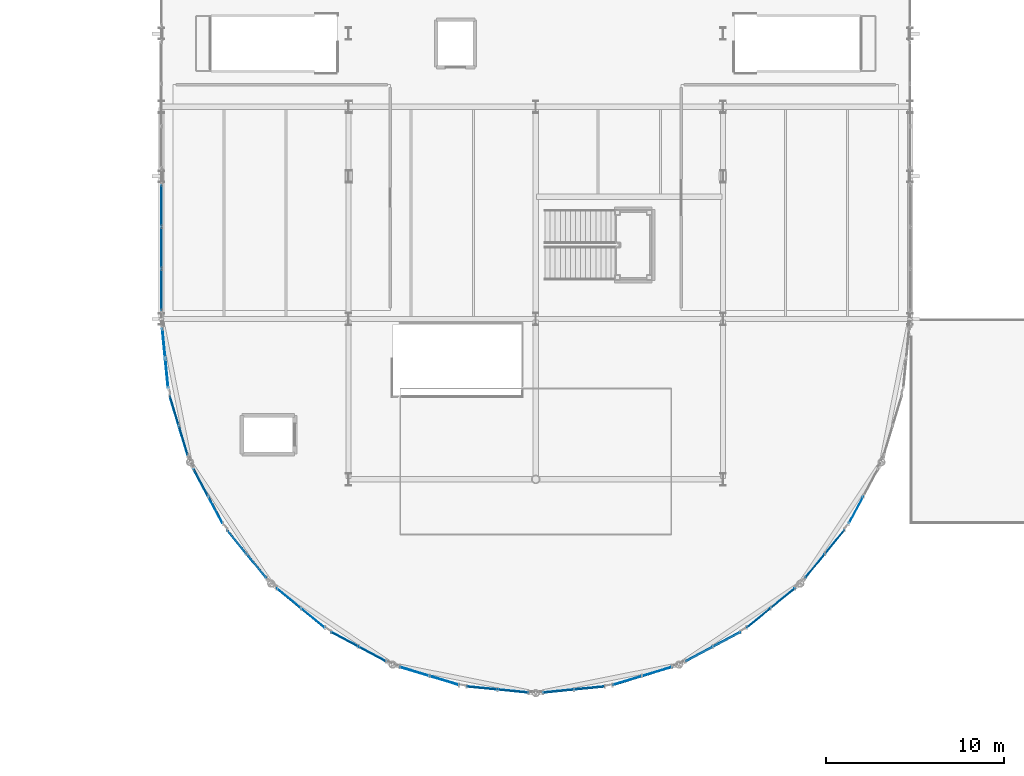
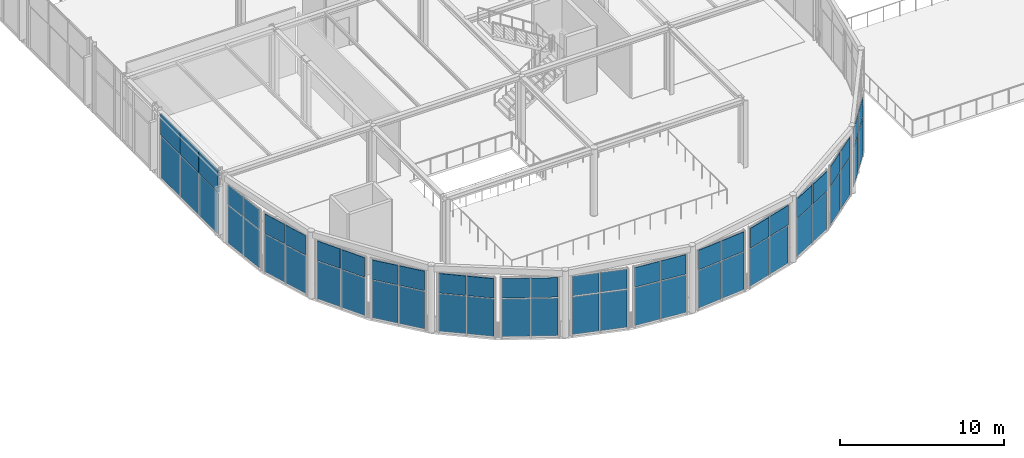
# One storey, part 96 of 195: 59 plates, 15 elements without a shape of their own.
"""IFC4 building model written with IfcOpenShell, lengths in metres."""

import ifcopenshell
import ifcopenshell.guid

model = None  # the IFC model being written
_history = None  # IfcOwnerHistory: only IFC2X3 demands one
_inside = {}  # id of a spatial element -> (the spatial element, [elements in it])
_under = {}  # id of a project, library or spatial element -> (it, [spatial elements below it])
_declared = {}  # id of a project -> (the project, [libraries it declares])
_typed = {}  # id of a type object -> (the type object, [elements of that type])
_made_of = {}  # id of a material, layer set ... -> (it, [elements and type objects made of it])


def new_model(schema):
    """Start an empty IFC model of exactly this schema.

    Asked for "IFC4X3", IfcOpenShell would pick the latest addendum, in which some entities
    have other attributes; the version numbers below select the first issue.
    IFC2X3 requires an IfcOwnerHistory on every rooted entity: one is made here for all.
    """
    global model, _history
    if schema == "IFC4X3":
        model = ifcopenshell.file(schema_version=(4, 3, 0, 0))
    else:
        model = ifcopenshell.file(schema=schema)
    _inside.clear()
    _under.clear()
    _declared.clear()
    _typed.clear()
    _made_of.clear()
    _history = None
    if model.schema == "IFC2X3":
        org = make("IfcOrganization", Name="unknown")
        user = make(
            "IfcPersonAndOrganization",
            ThePerson=make("IfcPerson", FamilyName="unknown"),
            TheOrganization=org,
        )
        app = make(
            "IfcApplication",
            ApplicationDeveloper=org,
            Version="unknown",
            ApplicationFullName="unknown",
            ApplicationIdentifier="unknown",
        )
        _history = make(
            "IfcOwnerHistory",
            OwningUser=user,
            OwningApplication=app,
            ChangeAction="ADDED",
            CreationDate=0,
        )
    return model


def make(cls, **values):
    """One entity of the class cls with the attributes given. An attribute that is None is left unset."""
    return model.create_entity(
        cls, **{name: value for name, value in values.items() if value is not None}
    )


def rooted(cls, **values):
    """An entity with a GlobalId (a new one), such as an element, a storey or a relation."""
    return make(cls, GlobalId=ifcopenshell.guid.new(), OwnerHistory=_history, **values)


def si_unit(unit_type, name, prefix=None):
    """IfcSIUnit, for example si_unit("LENGTHUNIT", "METRE", prefix="MILLI")."""
    return make("IfcSIUnit", UnitType=unit_type, Prefix=prefix, Name=name)


def assignment(units):
    """IfcUnitAssignment: the units of a project."""
    return None if units is None else make("IfcUnitAssignment", Units=units)


def point(xyz):
    """IfcCartesianPoint."""
    return None if xyz is None else make("IfcCartesianPoint", Coordinates=xyz)


def direction(xyz):
    """IfcDirection."""
    return None if xyz is None else make("IfcDirection", DirectionRatios=xyz)


def frame(location, z_axis=None, x_axis=None):
    """IfcAxis2Placement3D, a coordinate frame: its origin and axes. An axis left out is left unset."""
    return make(
        "IfcAxis2Placement3D",
        Location=point(location),
        Axis=direction(z_axis),
        RefDirection=direction(x_axis),
    )


def frame_2d(location, x_axis=None):
    """IfcAxis2Placement2D, a coordinate frame in the plane: its origin and x axis."""
    return make(
        "IfcAxis2Placement2D", Location=point(location), RefDirection=direction(x_axis)
    )


def origin():
    """The frame at (0, 0, 0) with its axes left unset."""
    return frame((0.0, 0.0, 0.0))


def origin_2d():
    """The frame at (0, 0) in the plane with its x axis left unset."""
    return frame_2d((0.0, 0.0))


def place(relative_to, where):
    """IfcLocalPlacement: puts the frame where relative to a parent placement (None: the world)."""
    return make(
        "IfcLocalPlacement", PlacementRelTo=relative_to, RelativePlacement=where
    )


def context(
    kind, dimensions, precision=None, world=None, true_north=None, identifier=None
):
    """IfcGeometricRepresentationContext, for example the 3D "Model" context."""
    return make(
        "IfcGeometricRepresentationContext",
        ContextIdentifier=identifier,
        ContextType=kind,
        CoordinateSpaceDimension=dimensions,
        Precision=precision,
        WorldCoordinateSystem=world,
        TrueNorth=true_north,
    )


def subcontext(parent, identifier, kind, view, scale=None):
    """IfcGeometricRepresentationSubContext, for example "Body" below "Model"."""
    return make(
        "IfcGeometricRepresentationSubContext",
        ContextIdentifier=identifier,
        ContextType=kind,
        ParentContext=parent,
        TargetScale=scale,
        TargetView=view,
    )


def project(units=None, contexts=None):
    """IfcProject with its units and contexts."""
    return rooted(
        "IfcProject",
        Name="project",
        RepresentationContexts=contexts,
        UnitsInContext=assignment(units),
    )


def spatial(cls, under=None, at=None, **own):
    """A site, building, storey or space (cls), placed at a placement, below another one or the project."""
    s = rooted(cls, ObjectPlacement=at, **own)
    if under is not None:
        _under.setdefault(under.id(), (under, []))[1].append(s)
    return s


def profile(cls, at=None, kind="AREA", **sizes):
    """A parametric profile (cls). Its sizes go by their IFC names, for example OverallWidth=200.0."""
    return make(cls, ProfileType=kind, Position=at, **sizes)


def rectangle(**sizes):
    """IfcRectangleProfileDef."""
    return profile("IfcRectangleProfileDef", **sizes)


def extrude(swept, where, along, depth):
    """IfcExtrudedAreaSolid: the profile swept, set in the frame where, extruded along a direction by depth."""
    return make(
        "IfcExtrudedAreaSolid",
        SweptArea=swept,
        Position=where,
        ExtrudedDirection=direction(along),
        Depth=depth,
    )


def shape(context_of_items, identifier, shape_type, items):
    """IfcShapeRepresentation: the items that make up one representation, for example the "Body"."""
    return make(
        "IfcShapeRepresentation",
        ContextOfItems=context_of_items,
        RepresentationIdentifier=identifier,
        RepresentationType=shape_type,
        Items=items,
    )


def material(Name=None, Category=None):
    """IfcMaterial."""
    return make("IfcMaterial", Name=Name, Category=Category)


def layer(
    of_material, thickness, ventilated=None, Name=None, Category=None, Priority=None
):
    """IfcMaterialLayer: one layer of a wall or slab, of a material (None: an air gap)."""
    return make(
        "IfcMaterialLayer",
        Material=of_material,
        LayerThickness=thickness,
        IsVentilated=ventilated,
        Name=Name,
        Category=Category,
        Priority=Priority,
    )


def layer_set(layers, Name=None):
    """IfcMaterialLayerSet."""
    return make("IfcMaterialLayerSet", MaterialLayers=layers, LayerSetName=Name)


def made_of(thing, what):
    """Note that an element or type object is made of a material, layer set ...; save() writes the relation."""
    if what is not None:
        _made_of.setdefault(what.id(), (what, []))[1].append(thing)
    return thing


def type_object(cls, material=None, **own):
    """A type object (cls), such as IfcWallType, which elements share."""
    return made_of(rooted(cls, **own), material)


def element(
    cls,
    number,
    at=None,
    inside=None,
    cuts=None,
    type_object=None,
    material=None,
    context=None,
    identifier="Body",
    shape_type=None,
    held_by="IfcProductDefinitionShape",
    body=None,
    shapes=None,
    **own,
):
    """One element of the class cls, such as IfcWall. Its Tag is "e" and its number.

    at: its placement. inside: the storey or other place that contains it. cuts: it is an
    opening in that element (IfcRelVoidsElement). A single representation is given by context,
    identifier, shape_type and body (its items); several are given by shapes. held_by: the class
    of the entity that holds the representations. save() writes the other relations.
    """
    e = rooted(cls, Tag="e%d" % number, ObjectPlacement=at, **own)
    if body is not None:
        shapes = [shape(context, identifier, shape_type, body)]
    if shapes is not None:
        e.Representation = make(held_by, Representations=shapes)
    if inside is not None:
        _inside.setdefault(inside.id(), (inside, []))[1].append(e)
    if cuts is not None:
        rooted(
            "IfcRelVoidsElement", RelatingBuildingElement=cuts, RelatedOpeningElement=e
        )
    if type_object is not None:
        _typed.setdefault(type_object.id(), (type_object, []))[1].append(e)
    return made_of(e, material)


def aggregate(whole, parts):
    """IfcRelAggregates: a whole, such as a stair, and the parts it consists of."""
    return rooted("IfcRelAggregates", RelatingObject=whole, RelatedObjects=parts)


def save(model, path):
    """Write the relations noted so far, then the file.

    IfcRelAggregates (storeys below a building ...), IfcRelContainedInSpatialStructure (elements
    in a storey), IfcRelDefinesByType, IfcRelAssociatesMaterial and IfcRelDeclares: one each for
    every whole, place, type object, material and project.
    """
    for whole, parts in _under.values():
        aggregate(whole, parts)
    for where, things in _inside.values():
        rooted(
            "IfcRelContainedInSpatialStructure",
            RelatedElements=things,
            RelatingStructure=where,
        )
    for kind, things in _typed.values():
        rooted("IfcRelDefinesByType", RelatedObjects=things, RelatingType=kind)
    for what, things in _made_of.values():
        rooted("IfcRelAssociatesMaterial", RelatedObjects=things, RelatingMaterial=what)
    for by, libraries in _declared.values():
        rooted("IfcRelDeclares", RelatingContext=by, RelatedDefinitions=libraries)
    model.write(path)


model = new_model("IFC4")

# Units and contexts
model_context = context("Model", 3, precision=1e-05, world=origin(), true_north=direction((0.0, 1.0)))
body_context = subcontext(model_context, "Body", "Model", "MODEL_VIEW")
ifc_project = project(units=[si_unit("LENGTHUNIT", "METRE"), si_unit("AREAUNIT", "SQUARE_METRE"), si_unit("VOLUMEUNIT", "CUBIC_METRE"), si_unit("PLANEANGLEUNIT", "RADIAN"), si_unit("MASSUNIT", "GRAM", prefix="KILO")], contexts=[model_context])

# Site, building, storey
site_placement = place(None, origin())
site = spatial("IfcSite", under=ifc_project, at=site_placement, CompositionType="ELEMENT")
building_placement = place(site_placement, origin())
building = spatial("IfcBuilding", under=site, at=building_placement, Name="Marlcrest Central Station", CompositionType="ELEMENT")
storey_placement = place(building_placement, frame((0.0, 0.0, 9.800048828125)))
storey = spatial("IfcBuildingStorey", under=building, at=storey_placement, Name="L02", CompositionType="ELEMENT", Elevation=9.800048828125)

# Curtain wall, plates
ifc_material_1 = material(Name="Anodised aluminium and hurricane laminated glass", Category="aluminium")
ifc_layer_1 = layer(ifc_material_1, 0.219970703125, Name="CW-U1")
ifc_layer_set_1 = layer_set([ifc_layer_1], Name="Anodised aluminium and hurricane laminated glass")
curtain_wall_type = type_object("IfcCurtainWallType", Name="CW-U1", PredefinedType="USERDEFINED", material=ifc_layer_set_1)
curtain_wall_1_placement = place(storey_placement, origin())
curtain_wall_1 = element("IfcCurtainWall", 1, at=curtain_wall_1_placement, inside=storey, type_object=curtain_wall_type, Name="cw-L02-0025", ObjectType="UNITISED_CURTAIN_WALL", PredefinedType="USERDEFINED")
ifc_material_2 = material(Name="Hurricane laminated solar-control glass", Category="glass")
ifc_layer_2 = layer(ifc_material_2, 0.031982421875, Name="CP-01")
ifc_layer_set_2 = layer_set([ifc_layer_2], Name="Hurricane laminated solar-control glass")
plate_type_1 = type_object("IfcPlateType", Name="CP-01", PredefinedType="CURTAIN_PANEL", material=ifc_layer_set_2)
plate_1_placement = place(storey_placement, frame((87.30078125, 19.4501953125, 0.080078125), z_axis=(0.0, 0.0, 1.0), x_axis=(-0.098138724349, 0.995172744192, 0.0)))
plate_1 = element("IfcPlate", 2, at=plate_1_placement, type_object=plate_type_1, Name="cw-L02-0025-cp-lo-0", PredefinedType="CURTAIN_PANEL", context=body_context, shape_type="SweptSolid", body=[
    extrude(rectangle(XDim=1.61669921875, YDim=0.031982421875, at=origin_2d()), origin(), (0.0, 0.0, 1.0), 2.804931640625),
])
plate_2_placement = place(storey_placement, frame((87.134765625, 21.134521484375, 0.080078125), z_axis=(0.0, 0.0, 1.0), x_axis=(-0.098138724349, 0.995172744192, 0.0)))
plate_2 = element("IfcPlate", 3, at=plate_2_placement, type_object=plate_type_1, Name="cw-L02-0025-cp-lo-1", PredefinedType="CURTAIN_PANEL", context=body_context, shape_type="SweptSolid", body=[
    extrude(rectangle(XDim=1.61669921875, YDim=0.031982421875, at=origin_2d()), origin(), (0.0, 0.0, 1.0), 2.804931640625),
])

curtain_wall_2_placement = place(storey_placement, origin())
curtain_wall_2 = element("IfcCurtainWall", 4, at=curtain_wall_2_placement, inside=storey, type_object=curtain_wall_type, Name="cw-L02-0026", ObjectType="UNITISED_CURTAIN_WALL", PredefinedType="USERDEFINED")
plate_3_placement = place(storey_placement, frame((88.227294921875, 15.689453125, 0.080078125), z_axis=(0.0, 0.0, 1.0), x_axis=(-0.290318080597, 0.956930202302, 0.0)))
plate_3 = element("IfcPlate", 5, at=plate_3_placement, type_object=plate_type_1, Name="cw-L02-0026-cp-lo-0", PredefinedType="CURTAIN_PANEL", context=body_context, shape_type="SweptSolid", body=[
    extrude(rectangle(XDim=1.67724609375, YDim=0.031982421875, at=origin_2d()), origin(), (0.0, 0.0, 1.0), 2.804931640625),
])
plate_4_placement = place(storey_placement, frame((87.71826171875, 17.3671875, 0.080078125), z_axis=(0.0, 0.0, 1.0), x_axis=(-0.290318080597, 0.956930202302, 0.0)))
plate_4 = element("IfcPlate", 6, at=plate_4_placement, type_object=plate_type_1, Name="cw-L02-0026-cp-lo-1", PredefinedType="CURTAIN_PANEL", context=body_context, shape_type="SweptSolid", body=[
    extrude(rectangle(XDim=1.67724609375, YDim=0.031982421875, at=origin_2d()), origin(), (0.0, 0.0, 1.0), 2.804931640625),
])

curtain_wall_3_placement = place(storey_placement, origin())
curtain_wall_3 = element("IfcCurtainWall", 7, at=curtain_wall_3_placement, inside=storey, type_object=curtain_wall_type, Name="cw-L02-0027", ObjectType="UNITISED_CURTAIN_WALL", PredefinedType="USERDEFINED")
plate_5_placement = place(storey_placement, frame((90.02880859375, 11.787841796875, 0.080078125), z_axis=(0.0, 0.0, 1.0), x_axis=(-0.471242805349, 0.882003525167, 0.0)))
plate_5 = element("IfcPlate", 8, at=plate_5_placement, type_object=plate_type_1, Name="cw-L02-0027-cp-lo-0", PredefinedType="CURTAIN_PANEL", context=body_context, shape_type="SweptSolid", body=[
    extrude(rectangle(XDim=1.677490234375, YDim=0.031982421875, at=origin_2d()), origin(), (0.0, 0.0, 1.0), 2.804931640625),
])
plate_6_placement = place(storey_placement, frame((89.20263671875, 13.33447265625, 0.080078125), z_axis=(0.0, 0.0, 1.0), x_axis=(-0.471242805349, 0.882003525167, 0.0)))
plate_6 = element("IfcPlate", 9, at=plate_6_placement, type_object=plate_type_1, Name="cw-L02-0027-cp-lo-1", PredefinedType="CURTAIN_PANEL", context=body_context, shape_type="SweptSolid", body=[
    extrude(rectangle(XDim=1.677490234375, YDim=0.031982421875, at=origin_2d()), origin(), (0.0, 0.0, 1.0), 2.804931640625),
])

curtain_wall_4_placement = place(storey_placement, origin())
curtain_wall_4 = element("IfcCurtainWall", 10, at=curtain_wall_4_placement, inside=storey, type_object=curtain_wall_type, Name="cw-L02-0028", ObjectType="UNITISED_CURTAIN_WALL", PredefinedType="USERDEFINED")
plate_7_placement = place(storey_placement, frame((92.33837890625, 8.640869140625, 0.080078125), z_axis=(0.0, 0.0, 1.0), x_axis=(-0.63447423015, 0.772944015615, 0.0)))
plate_7 = element("IfcPlate", 11, at=plate_7_placement, type_object=plate_type_1, Name="cw-L02-0028-cp-lo-0", PredefinedType="CURTAIN_PANEL", context=body_context, shape_type="SweptSolid", body=[
    extrude(rectangle(XDim=1.677490234375, YDim=0.031982421875, at=origin_2d()), origin(), (0.0, 0.0, 1.0), 2.804931640625),
])
plate_8_placement = place(storey_placement, frame((91.225830078125, 9.99609375, 0.080078125), z_axis=(0.0, 0.0, 1.0), x_axis=(-0.63447423015, 0.772944015615, 0.0)))
plate_8 = element("IfcPlate", 12, at=plate_8_placement, type_object=plate_type_1, Name="cw-L02-0028-cp-lo-1", PredefinedType="CURTAIN_PANEL", context=body_context, shape_type="SweptSolid", body=[
    extrude(rectangle(XDim=1.677490234375, YDim=0.031982421875, at=origin_2d()), origin(), (0.0, 0.0, 1.0), 2.804931640625),
])

curtain_wall_5_placement = place(storey_placement, origin())
curtain_wall_5 = element("IfcCurtainWall", 13, at=curtain_wall_5_placement, inside=storey, type_object=curtain_wall_type, Name="cw-L02-0029", ObjectType="UNITISED_CURTAIN_WALL", PredefinedType="USERDEFINED")
plate_9_placement = place(storey_placement, frame((95.49609375, 5.725830078125, 0.080078125), z_axis=(0.0, 0.0, 1.0), x_axis=(-0.772944015615, 0.63447423015, 0.0)))
plate_9 = element("IfcPlate", 14, at=plate_9_placement, type_object=plate_type_1, Name="cw-L02-0029-cp-lo-0", PredefinedType="CURTAIN_PANEL", context=body_context, shape_type="SweptSolid", body=[
    extrude(rectangle(XDim=1.677490234375, YDim=0.031982421875, at=origin_2d()), origin(), (0.0, 0.0, 1.0), 2.804931640625),
])
plate_10_placement = place(storey_placement, frame((94.140869140625, 6.83837890625, 0.080078125), z_axis=(0.0, 0.0, 1.0), x_axis=(-0.772944015615, 0.63447423015, 0.0)))
plate_10 = element("IfcPlate", 15, at=plate_10_placement, type_object=plate_type_1, Name="cw-L02-0029-cp-lo-1", PredefinedType="CURTAIN_PANEL", context=body_context, shape_type="SweptSolid", body=[
    extrude(rectangle(XDim=1.677490234375, YDim=0.031982421875, at=origin_2d()), origin(), (0.0, 0.0, 1.0), 2.804931640625),
])

curtain_wall_6_placement = place(storey_placement, origin())
curtain_wall_6 = element("IfcCurtainWall", 16, at=curtain_wall_6_placement, inside=storey, type_object=curtain_wall_type, Name="cw-L02-0030", ObjectType="UNITISED_CURTAIN_WALL", PredefinedType="USERDEFINED")
plate_11_placement = place(storey_placement, frame((98.83447265625, 3.70263671875, 0.080078125), z_axis=(0.0, 0.0, 1.0), x_axis=(-0.882003525167, 0.471242805349, 0.0)))
plate_11 = element("IfcPlate", 17, at=plate_11_placement, type_object=plate_type_1, Name="cw-L02-0030-cp-lo-0", PredefinedType="CURTAIN_PANEL", context=body_context, shape_type="SweptSolid", body=[
    extrude(rectangle(XDim=1.677490234375, YDim=0.031982421875, at=origin_2d()), origin(), (0.0, 0.0, 1.0), 2.804931640625),
])
plate_12_placement = place(storey_placement, frame((97.287841796875, 4.52880859375, 0.080078125), z_axis=(0.0, 0.0, 1.0), x_axis=(-0.882003525167, 0.471242805349, 0.0)))
plate_12 = element("IfcPlate", 18, at=plate_12_placement, type_object=plate_type_1, Name="cw-L02-0030-cp-lo-1", PredefinedType="CURTAIN_PANEL", context=body_context, shape_type="SweptSolid", body=[
    extrude(rectangle(XDim=1.677490234375, YDim=0.031982421875, at=origin_2d()), origin(), (0.0, 0.0, 1.0), 2.804931640625),
])

curtain_wall_7_placement = place(storey_placement, origin())
curtain_wall_7 = element("IfcCurtainWall", 19, at=curtain_wall_7_placement, inside=storey, type_object=curtain_wall_type, Name="cw-L02-0031", ObjectType="UNITISED_CURTAIN_WALL", PredefinedType="USERDEFINED")
plate_13_placement = place(storey_placement, frame((102.8671875, 2.21826171875, 0.080078125), z_axis=(0.0, 0.0, 1.0), x_axis=(-0.956930202302, 0.290318080597, 0.0)))
plate_13 = element("IfcPlate", 20, at=plate_13_placement, type_object=plate_type_1, Name="cw-L02-0031-cp-lo-0", PredefinedType="CURTAIN_PANEL", context=body_context, shape_type="SweptSolid", body=[
    extrude(rectangle(XDim=1.67724609375, YDim=0.031982421875, at=origin_2d()), origin(), (0.0, 0.0, 1.0), 2.804931640625),
])
plate_14_placement = place(storey_placement, frame((101.189453125, 2.727294921875, 0.080078125), z_axis=(0.0, 0.0, 1.0), x_axis=(-0.956930202302, 0.290318080597, 0.0)))
plate_14 = element("IfcPlate", 21, at=plate_14_placement, type_object=plate_type_1, Name="cw-L02-0031-cp-lo-1", PredefinedType="CURTAIN_PANEL", context=body_context, shape_type="SweptSolid", body=[
    extrude(rectangle(XDim=1.67724609375, YDim=0.031982421875, at=origin_2d()), origin(), (0.0, 0.0, 1.0), 2.804931640625),
])

curtain_wall_8_placement = place(storey_placement, origin())
curtain_wall_8 = element("IfcCurtainWall", 22, at=curtain_wall_8_placement, inside=storey, type_object=curtain_wall_type, Name="cw-L02-0032", ObjectType="UNITISED_CURTAIN_WALL", PredefinedType="USERDEFINED")
plate_15_placement = place(storey_placement, frame((106.725341796875, 1.625732421875, 0.080078125), z_axis=(0.0, 0.0, 1.0), x_axis=(-0.995172744192, 0.098138724349, 0.0)))
plate_15 = element("IfcPlate", 23, at=plate_15_placement, type_object=plate_type_1, Name="cw-L02-0032-cp-lo-0", PredefinedType="CURTAIN_PANEL", context=body_context, shape_type="SweptSolid", body=[
    extrude(rectangle(XDim=1.677490234375, YDim=0.031982421875, at=origin_2d()), origin(), (0.0, 0.0, 1.0), 2.804931640625),
])
plate_16_placement = place(storey_placement, frame((104.98046875, 1.7978515625, 0.080078125), z_axis=(0.0, 0.0, 1.0), x_axis=(-0.995172744192, 0.098138724349, 0.0)))
plate_16 = element("IfcPlate", 24, at=plate_16_placement, type_object=plate_type_1, Name="cw-L02-0032-cp-lo-1", PredefinedType="CURTAIN_PANEL", context=body_context, shape_type="SweptSolid", body=[
    extrude(rectangle(XDim=1.677490234375, YDim=0.031982421875, at=origin_2d()), origin(), (0.0, 0.0, 1.0), 2.804931640625),
])

curtain_wall_9_placement = place(storey_placement, origin())
curtain_wall_9 = element("IfcCurtainWall", 25, at=curtain_wall_9_placement, inside=storey, type_object=curtain_wall_type, Name="cw-L02-0033", ObjectType="UNITISED_CURTAIN_WALL", PredefinedType="USERDEFINED")
plate_17_placement = place(storey_placement, frame((111.01953125, 1.7978515625, 0.080078125), z_axis=(0.0, 0.0, 1.0), x_axis=(-0.995172744192, -0.098138724349, 0.0)))
plate_17 = element("IfcPlate", 26, at=plate_17_placement, type_object=plate_type_1, Name="cw-L02-0033-cp-lo-0", PredefinedType="CURTAIN_PANEL", context=body_context, shape_type="SweptSolid", body=[
    extrude(rectangle(XDim=1.677490234375, YDim=0.031982421875, at=origin_2d()), origin(), (0.0, 0.0, 1.0), 2.804931640625),
])
plate_18_placement = place(storey_placement, frame((109.274658203125, 1.625732421875, 0.080078125), z_axis=(0.0, 0.0, 1.0), x_axis=(-0.995172744192, -0.098138724349, 0.0)))
plate_18 = element("IfcPlate", 27, at=plate_18_placement, type_object=plate_type_1, Name="cw-L02-0033-cp-lo-1", PredefinedType="CURTAIN_PANEL", context=body_context, shape_type="SweptSolid", body=[
    extrude(rectangle(XDim=1.677490234375, YDim=0.031982421875, at=origin_2d()), origin(), (0.0, 0.0, 1.0), 2.804931640625),
])

curtain_wall_10_placement = place(storey_placement, origin())
curtain_wall_10 = element("IfcCurtainWall", 28, at=curtain_wall_10_placement, inside=storey, type_object=curtain_wall_type, Name="cw-L02-0034", ObjectType="UNITISED_CURTAIN_WALL", PredefinedType="USERDEFINED")
plate_19_placement = place(storey_placement, frame((114.810546875, 2.727294921875, 0.080078125), z_axis=(0.0, 0.0, 1.0), x_axis=(-0.956930202302, -0.290318080597, 0.0)))
plate_19 = element("IfcPlate", 29, at=plate_19_placement, type_object=plate_type_1, Name="cw-L02-0034-cp-lo-0", PredefinedType="CURTAIN_PANEL", context=body_context, shape_type="SweptSolid", body=[
    extrude(rectangle(XDim=1.67724609375, YDim=0.031982421875, at=origin_2d()), origin(), (0.0, 0.0, 1.0), 2.804931640625),
])
plate_20_placement = place(storey_placement, frame((113.1328125, 2.21826171875, 0.080078125), z_axis=(0.0, 0.0, 1.0), x_axis=(-0.956930202302, -0.290318080597, 0.0)))
plate_20 = element("IfcPlate", 30, at=plate_20_placement, type_object=plate_type_1, Name="cw-L02-0034-cp-lo-1", PredefinedType="CURTAIN_PANEL", context=body_context, shape_type="SweptSolid", body=[
    extrude(rectangle(XDim=1.67724609375, YDim=0.031982421875, at=origin_2d()), origin(), (0.0, 0.0, 1.0), 2.804931640625),
])

curtain_wall_11_placement = place(storey_placement, origin())
curtain_wall_11 = element("IfcCurtainWall", 31, at=curtain_wall_11_placement, inside=storey, type_object=curtain_wall_type, Name="cw-L02-0035", ObjectType="UNITISED_CURTAIN_WALL", PredefinedType="USERDEFINED")
plate_21_placement = place(storey_placement, frame((118.712158203125, 4.52880859375, 0.080078125), z_axis=(0.0, 0.0, 1.0), x_axis=(-0.882003525167, -0.471242805349, 0.0)))
plate_21 = element("IfcPlate", 32, at=plate_21_placement, type_object=plate_type_1, Name="cw-L02-0035-cp-lo-0", PredefinedType="CURTAIN_PANEL", context=body_context, shape_type="SweptSolid", body=[
    extrude(rectangle(XDim=1.677490234375, YDim=0.031982421875, at=origin_2d()), origin(), (0.0, 0.0, 1.0), 2.804931640625),
])
plate_22_placement = place(storey_placement, frame((117.16552734375, 3.70263671875, 0.080078125), z_axis=(0.0, 0.0, 1.0), x_axis=(-0.882003525167, -0.471242805349, 0.0)))
plate_22 = element("IfcPlate", 33, at=plate_22_placement, type_object=plate_type_1, Name="cw-L02-0035-cp-lo-1", PredefinedType="CURTAIN_PANEL", context=body_context, shape_type="SweptSolid", body=[
    extrude(rectangle(XDim=1.677490234375, YDim=0.031982421875, at=origin_2d()), origin(), (0.0, 0.0, 1.0), 2.804931640625),
])

curtain_wall_12_placement = place(storey_placement, origin())
curtain_wall_12 = element("IfcCurtainWall", 34, at=curtain_wall_12_placement, inside=storey, type_object=curtain_wall_type, Name="cw-L02-0036", ObjectType="UNITISED_CURTAIN_WALL", PredefinedType="USERDEFINED")
plate_23_placement = place(storey_placement, frame((121.859130859375, 6.83837890625, 0.080078125), z_axis=(0.0, 0.0, 1.0), x_axis=(-0.772944015615, -0.63447423015, 0.0)))
plate_23 = element("IfcPlate", 35, at=plate_23_placement, type_object=plate_type_1, Name="cw-L02-0036-cp-lo-0", PredefinedType="CURTAIN_PANEL", context=body_context, shape_type="SweptSolid", body=[
    extrude(rectangle(XDim=1.677490234375, YDim=0.031982421875, at=origin_2d()), origin(), (0.0, 0.0, 1.0), 2.804931640625),
])
plate_24_placement = place(storey_placement, frame((120.50390625, 5.725830078125, 0.080078125), z_axis=(0.0, 0.0, 1.0), x_axis=(-0.772944015615, -0.63447423015, 0.0)))
plate_24 = element("IfcPlate", 36, at=plate_24_placement, type_object=plate_type_1, Name="cw-L02-0036-cp-lo-1", PredefinedType="CURTAIN_PANEL", context=body_context, shape_type="SweptSolid", body=[
    extrude(rectangle(XDim=1.677490234375, YDim=0.031982421875, at=origin_2d()), origin(), (0.0, 0.0, 1.0), 2.804931640625),
])

curtain_wall_13_placement = place(storey_placement, origin())
curtain_wall_13 = element("IfcCurtainWall", 37, at=curtain_wall_13_placement, inside=storey, type_object=curtain_wall_type, Name="cw-L02-0037", ObjectType="UNITISED_CURTAIN_WALL", PredefinedType="USERDEFINED")
plate_25_placement = place(storey_placement, frame((124.774169921875, 9.99609375, 0.080078125), z_axis=(0.0, 0.0, 1.0), x_axis=(-0.63447423015, -0.772944015615, 0.0)))
plate_25 = element("IfcPlate", 38, at=plate_25_placement, type_object=plate_type_1, Name="cw-L02-0037-cp-lo-0", PredefinedType="CURTAIN_PANEL", context=body_context, shape_type="SweptSolid", body=[
    extrude(rectangle(XDim=1.677490234375, YDim=0.031982421875, at=origin_2d()), origin(), (0.0, 0.0, 1.0), 2.804931640625),
])
plate_26_placement = place(storey_placement, frame((123.66162109375, 8.640869140625, 0.080078125), z_axis=(0.0, 0.0, 1.0), x_axis=(-0.63447423015, -0.772944015615, 0.0)))
plate_26 = element("IfcPlate", 39, at=plate_26_placement, type_object=plate_type_1, Name="cw-L02-0037-cp-lo-1", PredefinedType="CURTAIN_PANEL", context=body_context, shape_type="SweptSolid", body=[
    extrude(rectangle(XDim=1.677490234375, YDim=0.031982421875, at=origin_2d()), origin(), (0.0, 0.0, 1.0), 2.804931640625),
])

# Curtain wall, plate
curtain_wall_14_placement = place(storey_placement, origin())
curtain_wall_14 = element("IfcCurtainWall", 40, at=curtain_wall_14_placement, inside=storey, type_object=curtain_wall_type, Name="cw-L02-0038", ObjectType="UNITISED_CURTAIN_WALL", PredefinedType="USERDEFINED")
plate_27_placement = place(storey_placement, frame((125.97119140625, 11.787841796875, 0.080078125), z_axis=(0.0, 0.0, 1.0), x_axis=(-0.471242805349, -0.882003525167, 0.0)))
plate_27 = element("IfcPlate", 41, at=plate_27_placement, type_object=plate_type_1, Name="cw-L02-0038-cp-lo-1", PredefinedType="CURTAIN_PANEL", context=body_context, shape_type="SweptSolid", body=[
    extrude(rectangle(XDim=1.677490234375, YDim=0.031982421875, at=origin_2d()), origin(), (0.0, 0.0, 1.0), 2.804931640625),
])
aggregate(curtain_wall_14, [plate_27])

# Curtain wall, plates
curtain_wall_15_placement = place(storey_placement, origin())
curtain_wall_15 = element("IfcCurtainWall", 42, at=curtain_wall_15_placement, inside=storey, type_object=curtain_wall_type, Name="cw-L02-0099", ObjectType="UNITISED_CURTAIN_WALL", PredefinedType="USERDEFINED")
plate_28_placement = place(storey_placement, frame((87.0, 24.13330078125, 0.080078125), z_axis=(0.0, 0.0, 1.0), x_axis=(0.0, 1.0, 0.0)))
plate_28 = element("IfcPlate", 43, at=plate_28_placement, type_object=plate_type_1, Name="cw-L02-0099-cp-lo-0", PredefinedType="CURTAIN_PANEL", context=body_context, shape_type="SweptSolid", body=[
    extrude(rectangle(XDim=2.290771484375, YDim=0.031982421875, at=origin_2d()), origin(), (0.0, 0.0, 1.0), 3.097900390625),
])
plate_29_placement = place(storey_placement, frame((87.0, 26.5, 0.080078125), z_axis=(0.0, 0.0, 1.0), x_axis=(0.0, 1.0, 0.0)))
plate_29 = element("IfcPlate", 44, at=plate_29_placement, type_object=plate_type_1, Name="cw-L02-0099-cp-lo-1", PredefinedType="CURTAIN_PANEL", context=body_context, shape_type="SweptSolid", body=[
    extrude(rectangle(XDim=2.290771484375, YDim=0.031982421875, at=origin_2d()), origin(), (0.0, 0.0, 1.0), 3.097900390625),
])
plate_30_placement = place(storey_placement, frame((87.0, 28.86669921875, 0.080078125), z_axis=(0.0, 0.0, 1.0), x_axis=(0.0, 1.0, 0.0)))
plate_30 = element("IfcPlate", 45, at=plate_30_placement, type_object=plate_type_1, Name="cw-L02-0099-cp-lo-2", PredefinedType="CURTAIN_PANEL", context=body_context, shape_type="SweptSolid", body=[
    extrude(rectangle(XDim=2.290771484375, YDim=0.031982421875, at=origin_2d()), origin(), (0.0, 0.0, 1.0), 3.097900390625),
])

# Plate
ifc_material_3 = material(Name="Insulated bronze-anodised aluminium spandrel panel", Category="aluminium")
ifc_layer_3 = layer(ifc_material_3, 0.06005859375, Name="CP-04")
ifc_layer_set_3 = layer_set([ifc_layer_3], Name="Insulated bronze-anodised aluminium spandrel panel")
plate_type_2 = type_object("IfcPlateType", Name="CP-04", PredefinedType="CURTAIN_PANEL", material=ifc_layer_set_3)
plate_31_placement = place(storey_placement, frame((98.83447265625, 3.70263671875, 2.96484375), z_axis=(0.0, 0.0, 1.0), x_axis=(-0.882003525167, 0.471242805349, 0.0)))
plate_31 = element("IfcPlate", 46, at=plate_31_placement, type_object=plate_type_2, Name="cw-L02-0030-cp-hi-0", PredefinedType="CURTAIN_PANEL", context=body_context, shape_type="SweptSolid", body=[
    extrude(rectangle(XDim=1.677490234375, YDim=0.06005859375, at=origin_2d()), origin(), (0.0, 0.0, 1.0), 1.455078125),
])

plate_32_placement = place(storey_placement, frame((97.287841796875, 4.52880859375, 2.96484375), z_axis=(0.0, 0.0, 1.0), x_axis=(-0.882003525167, 0.471242805349, 0.0)))
plate_32 = element("IfcPlate", 47, at=plate_32_placement, type_object=plate_type_2, Name="cw-L02-0030-cp-hi-1", PredefinedType="CURTAIN_PANEL", context=body_context, shape_type="SweptSolid", body=[
    extrude(rectangle(XDim=1.677490234375, YDim=0.06005859375, at=origin_2d()), origin(), (0.0, 0.0, 1.0), 1.455078125),
])

aggregate(curtain_wall_6, [plate_11, plate_31, plate_12, plate_32])

plate_33_placement = place(storey_placement, frame((121.859130859375, 6.83837890625, 2.96484375), z_axis=(0.0, 0.0, 1.0), x_axis=(-0.772944015615, -0.63447423015, 0.0)))
plate_33 = element("IfcPlate", 48, at=plate_33_placement, type_object=plate_type_2, Name="cw-L02-0036-cp-hi-0", PredefinedType="CURTAIN_PANEL", context=body_context, shape_type="SweptSolid", body=[
    extrude(rectangle(XDim=1.677490234375, YDim=0.06005859375, at=origin_2d()), origin(), (0.0, 0.0, 1.0), 1.455078125),
])

plate_34_placement = place(storey_placement, frame((120.50390625, 5.725830078125, 2.96484375), z_axis=(0.0, 0.0, 1.0), x_axis=(-0.772944015615, -0.63447423015, 0.0)))
plate_34 = element("IfcPlate", 49, at=plate_34_placement, type_object=plate_type_2, Name="cw-L02-0036-cp-hi-1", PredefinedType="CURTAIN_PANEL", context=body_context, shape_type="SweptSolid", body=[
    extrude(rectangle(XDim=1.677490234375, YDim=0.06005859375, at=origin_2d()), origin(), (0.0, 0.0, 1.0), 1.455078125),
])

aggregate(curtain_wall_12, [plate_23, plate_33, plate_24, plate_34])

ifc_layer_4 = layer(ifc_material_3, 0.050048828125, Name="CP-05")
ifc_layer_set_4 = layer_set([ifc_layer_4], Name="Insulated bronze-anodised aluminium spandrel panel")
plate_type_3 = type_object("IfcPlateType", Name="CP-05", PredefinedType="CURTAIN_PANEL", material=ifc_layer_set_4)
plate_35_placement = place(storey_placement, frame((87.30078125, 19.4501953125, 2.96484375), z_axis=(0.0, 0.0, 1.0), x_axis=(-0.098138724349, 0.995172744192, 0.0)))
plate_35 = element("IfcPlate", 50, at=plate_35_placement, type_object=plate_type_3, Name="cw-L02-0025-cp-hi-0", PredefinedType="CURTAIN_PANEL", context=body_context, shape_type="SweptSolid", body=[
    extrude(rectangle(XDim=1.61669921875, YDim=0.050048828125, at=origin_2d()), origin(), (0.0, 0.0, 1.0), 1.455078125),
])

plate_36_placement = place(storey_placement, frame((87.134765625, 21.134521484375, 2.96484375), z_axis=(0.0, 0.0, 1.0), x_axis=(-0.098138724349, 0.995172744192, 0.0)))
plate_36 = element("IfcPlate", 51, at=plate_36_placement, type_object=plate_type_3, Name="cw-L02-0025-cp-hi-1", PredefinedType="CURTAIN_PANEL", context=body_context, shape_type="SweptSolid", body=[
    extrude(rectangle(XDim=1.61669921875, YDim=0.050048828125, at=origin_2d()), origin(), (0.0, 0.0, 1.0), 1.455078125),
])

aggregate(curtain_wall_1, [plate_1, plate_35, plate_2, plate_36])

plate_37_placement = place(storey_placement, frame((102.8671875, 2.21826171875, 2.96484375), z_axis=(0.0, 0.0, 1.0), x_axis=(-0.956930202302, 0.290318080597, 0.0)))
plate_37 = element("IfcPlate", 52, at=plate_37_placement, type_object=plate_type_3, Name="cw-L02-0031-cp-hi-0", PredefinedType="CURTAIN_PANEL", context=body_context, shape_type="SweptSolid", body=[
    extrude(rectangle(XDim=1.67724609375, YDim=0.050048828125, at=origin_2d()), origin(), (0.0, 0.0, 1.0), 1.455078125),
])

plate_38_placement = place(storey_placement, frame((101.189453125, 2.727294921875, 2.96484375), z_axis=(0.0, 0.0, 1.0), x_axis=(-0.956930202302, 0.290318080597, 0.0)))
plate_38 = element("IfcPlate", 53, at=plate_38_placement, type_object=plate_type_3, Name="cw-L02-0031-cp-hi-1", PredefinedType="CURTAIN_PANEL", context=body_context, shape_type="SweptSolid", body=[
    extrude(rectangle(XDim=1.67724609375, YDim=0.050048828125, at=origin_2d()), origin(), (0.0, 0.0, 1.0), 1.455078125),
])

aggregate(curtain_wall_7, [plate_13, plate_37, plate_14, plate_38])

plate_39_placement = place(storey_placement, frame((124.774169921875, 9.99609375, 2.96484375), z_axis=(0.0, 0.0, 1.0), x_axis=(-0.63447423015, -0.772944015615, 0.0)))
plate_39 = element("IfcPlate", 54, at=plate_39_placement, type_object=plate_type_3, Name="cw-L02-0037-cp-hi-0", PredefinedType="CURTAIN_PANEL", context=body_context, shape_type="SweptSolid", body=[
    extrude(rectangle(XDim=1.677490234375, YDim=0.050048828125, at=origin_2d()), origin(), (0.0, 0.0, 1.0), 1.455078125),
])

plate_40_placement = place(storey_placement, frame((123.66162109375, 8.640869140625, 2.96484375), z_axis=(0.0, 0.0, 1.0), x_axis=(-0.63447423015, -0.772944015615, 0.0)))
plate_40 = element("IfcPlate", 55, at=plate_40_placement, type_object=plate_type_3, Name="cw-L02-0037-cp-hi-1", PredefinedType="CURTAIN_PANEL", context=body_context, shape_type="SweptSolid", body=[
    extrude(rectangle(XDim=1.677490234375, YDim=0.050048828125, at=origin_2d()), origin(), (0.0, 0.0, 1.0), 1.455078125),
])

aggregate(curtain_wall_13, [plate_25, plate_39, plate_26, plate_40])

ifc_material_4 = material(Name="Insulated acoustic spandrel panel")
ifc_layer_5 = layer(ifc_material_4, 0.074951171875, Name="CP-06")
ifc_layer_set_5 = layer_set([ifc_layer_5], Name="Insulated acoustic spandrel panel")
plate_type_4 = type_object("IfcPlateType", Name="CP-06", PredefinedType="CURTAIN_PANEL", material=ifc_layer_set_5)
plate_41_placement = place(storey_placement, frame((88.227294921875, 15.689453125, 2.96484375), z_axis=(0.0, 0.0, 1.0), x_axis=(-0.290318080597, 0.956930202302, 0.0)))
plate_41 = element("IfcPlate", 56, at=plate_41_placement, type_object=plate_type_4, Name="cw-L02-0026-cp-hi-0", PredefinedType="CURTAIN_PANEL", context=body_context, shape_type="SweptSolid", body=[
    extrude(rectangle(XDim=1.67724609375, YDim=0.074951171875, at=origin_2d()), origin(), (0.0, 0.0, 1.0), 1.455078125),
])

plate_42_placement = place(storey_placement, frame((87.71826171875, 17.3671875, 2.96484375), z_axis=(0.0, 0.0, 1.0), x_axis=(-0.290318080597, 0.956930202302, 0.0)))
plate_42 = element("IfcPlate", 57, at=plate_42_placement, type_object=plate_type_4, Name="cw-L02-0026-cp-hi-1", PredefinedType="CURTAIN_PANEL", context=body_context, shape_type="SweptSolid", body=[
    extrude(rectangle(XDim=1.67724609375, YDim=0.074951171875, at=origin_2d()), origin(), (0.0, 0.0, 1.0), 1.455078125),
])

aggregate(curtain_wall_2, [plate_3, plate_41, plate_4, plate_42])

plate_43_placement = place(storey_placement, frame((106.725341796875, 1.625732421875, 2.96484375), z_axis=(0.0, 0.0, 1.0), x_axis=(-0.995172744192, 0.098138724349, 0.0)))
plate_43 = element("IfcPlate", 58, at=plate_43_placement, type_object=plate_type_4, Name="cw-L02-0032-cp-hi-0", PredefinedType="CURTAIN_PANEL", context=body_context, shape_type="SweptSolid", body=[
    extrude(rectangle(XDim=1.677490234375, YDim=0.074951171875, at=origin_2d()), origin(), (0.0, 0.0, 1.0), 1.455078125),
])

plate_44_placement = place(storey_placement, frame((104.98046875, 1.7978515625, 2.96484375), z_axis=(0.0, 0.0, 1.0), x_axis=(-0.995172744192, 0.098138724349, 0.0)))
plate_44 = element("IfcPlate", 59, at=plate_44_placement, type_object=plate_type_4, Name="cw-L02-0032-cp-hi-1", PredefinedType="CURTAIN_PANEL", context=body_context, shape_type="SweptSolid", body=[
    extrude(rectangle(XDim=1.677490234375, YDim=0.074951171875, at=origin_2d()), origin(), (0.0, 0.0, 1.0), 1.455078125),
])

aggregate(curtain_wall_8, [plate_15, plate_43, plate_16, plate_44])

ifc_material_5 = material(Name="Insulated hurricane-rated spandrel panel")
ifc_layer_6 = layer(ifc_material_5, 0.090087890625, Name="CP-07")
ifc_layer_set_6 = layer_set([ifc_layer_6], Name="Insulated hurricane-rated spandrel panel")
plate_type_5 = type_object("IfcPlateType", Name="CP-07", PredefinedType="CURTAIN_PANEL", material=ifc_layer_set_6)
plate_45_placement = place(storey_placement, frame((90.02880859375, 11.787841796875, 2.96484375), z_axis=(0.0, 0.0, 1.0), x_axis=(-0.471242805349, 0.882003525167, 0.0)))
plate_45 = element("IfcPlate", 60, at=plate_45_placement, type_object=plate_type_5, Name="cw-L02-0027-cp-hi-0", PredefinedType="CURTAIN_PANEL", context=body_context, shape_type="SweptSolid", body=[
    extrude(rectangle(XDim=1.677490234375, YDim=0.090087890625, at=origin_2d()), origin(), (0.0, 0.0, 1.0), 1.455078125),
])

plate_46_placement = place(storey_placement, frame((89.20263671875, 13.33447265625, 2.96484375), z_axis=(0.0, 0.0, 1.0), x_axis=(-0.471242805349, 0.882003525167, 0.0)))
plate_46 = element("IfcPlate", 61, at=plate_46_placement, type_object=plate_type_5, Name="cw-L02-0027-cp-hi-1", PredefinedType="CURTAIN_PANEL", context=body_context, shape_type="SweptSolid", body=[
    extrude(rectangle(XDim=1.677490234375, YDim=0.090087890625, at=origin_2d()), origin(), (0.0, 0.0, 1.0), 1.455078125),
])

aggregate(curtain_wall_3, [plate_5, plate_45, plate_6, plate_46])

plate_47_placement = place(storey_placement, frame((111.01953125, 1.7978515625, 2.96484375), z_axis=(0.0, 0.0, 1.0), x_axis=(-0.995172744192, -0.098138724349, 0.0)))
plate_47 = element("IfcPlate", 62, at=plate_47_placement, type_object=plate_type_5, Name="cw-L02-0033-cp-hi-0", PredefinedType="CURTAIN_PANEL", context=body_context, shape_type="SweptSolid", body=[
    extrude(rectangle(XDim=1.677490234375, YDim=0.090087890625, at=origin_2d()), origin(), (0.0, 0.0, 1.0), 1.455078125),
])

plate_48_placement = place(storey_placement, frame((109.274658203125, 1.625732421875, 2.96484375), z_axis=(0.0, 0.0, 1.0), x_axis=(-0.995172744192, -0.098138724349, 0.0)))
plate_48 = element("IfcPlate", 63, at=plate_48_placement, type_object=plate_type_5, Name="cw-L02-0033-cp-hi-1", PredefinedType="CURTAIN_PANEL", context=body_context, shape_type="SweptSolid", body=[
    extrude(rectangle(XDim=1.677490234375, YDim=0.090087890625, at=origin_2d()), origin(), (0.0, 0.0, 1.0), 1.455078125),
])

aggregate(curtain_wall_9, [plate_17, plate_47, plate_18, plate_48])

plate_49_placement = place(storey_placement, frame((87.0, 24.13330078125, 3.2578125), z_axis=(0.0, 0.0, 1.0), x_axis=(0.0, 1.0, 0.0)))
plate_49 = element("IfcPlate", 64, at=plate_49_placement, type_object=plate_type_5, Name="cw-L02-0099-cp-hi-0", PredefinedType="CURTAIN_PANEL", context=body_context, shape_type="SweptSolid", body=[
    extrude(rectangle(XDim=2.290771484375, YDim=0.090087890625, at=origin_2d()), origin(), (0.0, 0.0, 1.0), 1.612060546875),
])

plate_50_placement = place(storey_placement, frame((87.0, 26.5, 3.2578125), z_axis=(0.0, 0.0, 1.0), x_axis=(0.0, 1.0, 0.0)))
plate_50 = element("IfcPlate", 65, at=plate_50_placement, type_object=plate_type_5, Name="cw-L02-0099-cp-hi-1", PredefinedType="CURTAIN_PANEL", context=body_context, shape_type="SweptSolid", body=[
    extrude(rectangle(XDim=2.290771484375, YDim=0.090087890625, at=origin_2d()), origin(), (0.0, 0.0, 1.0), 1.612060546875),
])

plate_51_placement = place(storey_placement, frame((87.0, 28.86669921875, 3.2578125), z_axis=(0.0, 0.0, 1.0), x_axis=(0.0, 1.0, 0.0)))
plate_51 = element("IfcPlate", 66, at=plate_51_placement, type_object=plate_type_5, Name="cw-L02-0099-cp-hi-2", PredefinedType="CURTAIN_PANEL", context=body_context, shape_type="SweptSolid", body=[
    extrude(rectangle(XDim=2.290771484375, YDim=0.090087890625, at=origin_2d()), origin(), (0.0, 0.0, 1.0), 1.612060546875),
])

aggregate(curtain_wall_15, [plate_28, plate_49, plate_29, plate_50, plate_30, plate_51])

ifc_material_6 = material(Name="Insulated shadow-box spandrel panel")
ifc_layer_7 = layer(ifc_material_6, 0.10498046875, Name="CP-08")
ifc_layer_set_7 = layer_set([ifc_layer_7], Name="Insulated shadow-box spandrel panel")
plate_type_6 = type_object("IfcPlateType", Name="CP-08", PredefinedType="CURTAIN_PANEL", material=ifc_layer_set_7)
plate_52_placement = place(storey_placement, frame((92.33837890625, 8.640869140625, 2.96484375), z_axis=(0.0, 0.0, 1.0), x_axis=(-0.63447423015, 0.772944015615, 0.0)))
plate_52 = element("IfcPlate", 67, at=plate_52_placement, type_object=plate_type_6, Name="cw-L02-0028-cp-hi-0", PredefinedType="CURTAIN_PANEL", context=body_context, shape_type="SweptSolid", body=[
    extrude(rectangle(XDim=1.677490234375, YDim=0.10498046875, at=origin_2d()), origin(), (0.0, 0.0, 1.0), 1.455078125),
])

plate_53_placement = place(storey_placement, frame((91.225830078125, 9.99609375, 2.96484375), z_axis=(0.0, 0.0, 1.0), x_axis=(-0.63447423015, 0.772944015615, 0.0)))
plate_53 = element("IfcPlate", 68, at=plate_53_placement, type_object=plate_type_6, Name="cw-L02-0028-cp-hi-1", PredefinedType="CURTAIN_PANEL", context=body_context, shape_type="SweptSolid", body=[
    extrude(rectangle(XDim=1.677490234375, YDim=0.10498046875, at=origin_2d()), origin(), (0.0, 0.0, 1.0), 1.455078125),
])

aggregate(curtain_wall_4, [plate_7, plate_52, plate_8, plate_53])

plate_54_placement = place(storey_placement, frame((114.810546875, 2.727294921875, 2.96484375), z_axis=(0.0, 0.0, 1.0), x_axis=(-0.956930202302, -0.290318080597, 0.0)))
plate_54 = element("IfcPlate", 69, at=plate_54_placement, type_object=plate_type_6, Name="cw-L02-0034-cp-hi-0", PredefinedType="CURTAIN_PANEL", context=body_context, shape_type="SweptSolid", body=[
    extrude(rectangle(XDim=1.67724609375, YDim=0.10498046875, at=origin_2d()), origin(), (0.0, 0.0, 1.0), 1.455078125),
])

plate_55_placement = place(storey_placement, frame((113.1328125, 2.21826171875, 2.96484375), z_axis=(0.0, 0.0, 1.0), x_axis=(-0.956930202302, -0.290318080597, 0.0)))
plate_55 = element("IfcPlate", 70, at=plate_55_placement, type_object=plate_type_6, Name="cw-L02-0034-cp-hi-1", PredefinedType="CURTAIN_PANEL", context=body_context, shape_type="SweptSolid", body=[
    extrude(rectangle(XDim=1.67724609375, YDim=0.10498046875, at=origin_2d()), origin(), (0.0, 0.0, 1.0), 1.455078125),
])

aggregate(curtain_wall_10, [plate_19, plate_54, plate_20, plate_55])

ifc_material_7 = material(Name="Insulated fire-safing spandrel panel")
ifc_layer_8 = layer(ifc_material_7, 0.1201171875, Name="CP-09")
ifc_layer_set_8 = layer_set([ifc_layer_8], Name="Insulated fire-safing spandrel panel")
plate_type_7 = type_object("IfcPlateType", Name="CP-09", PredefinedType="CURTAIN_PANEL", material=ifc_layer_set_8)
plate_56_placement = place(storey_placement, frame((95.49609375, 5.725830078125, 2.96484375), z_axis=(0.0, 0.0, 1.0), x_axis=(-0.772944015615, 0.63447423015, 0.0)))
plate_56 = element("IfcPlate", 71, at=plate_56_placement, type_object=plate_type_7, Name="cw-L02-0029-cp-hi-0", PredefinedType="CURTAIN_PANEL", context=body_context, shape_type="SweptSolid", body=[
    extrude(rectangle(XDim=1.677490234375, YDim=0.1201171875, at=origin_2d()), origin(), (0.0, 0.0, 1.0), 1.455078125),
])

plate_57_placement = place(storey_placement, frame((94.140869140625, 6.83837890625, 2.96484375), z_axis=(0.0, 0.0, 1.0), x_axis=(-0.772944015615, 0.63447423015, 0.0)))
plate_57 = element("IfcPlate", 72, at=plate_57_placement, type_object=plate_type_7, Name="cw-L02-0029-cp-hi-1", PredefinedType="CURTAIN_PANEL", context=body_context, shape_type="SweptSolid", body=[
    extrude(rectangle(XDim=1.677490234375, YDim=0.1201171875, at=origin_2d()), origin(), (0.0, 0.0, 1.0), 1.455078125),
])

aggregate(curtain_wall_5, [plate_9, plate_56, plate_10, plate_57])

plate_58_placement = place(storey_placement, frame((118.712158203125, 4.52880859375, 2.96484375), z_axis=(0.0, 0.0, 1.0), x_axis=(-0.882003525167, -0.471242805349, 0.0)))
plate_58 = element("IfcPlate", 73, at=plate_58_placement, type_object=plate_type_7, Name="cw-L02-0035-cp-hi-0", PredefinedType="CURTAIN_PANEL", context=body_context, shape_type="SweptSolid", body=[
    extrude(rectangle(XDim=1.677490234375, YDim=0.1201171875, at=origin_2d()), origin(), (0.0, 0.0, 1.0), 1.455078125),
])

plate_59_placement = place(storey_placement, frame((117.16552734375, 3.70263671875, 2.96484375), z_axis=(0.0, 0.0, 1.0), x_axis=(-0.882003525167, -0.471242805349, 0.0)))
plate_59 = element("IfcPlate", 74, at=plate_59_placement, type_object=plate_type_7, Name="cw-L02-0035-cp-hi-1", PredefinedType="CURTAIN_PANEL", context=body_context, shape_type="SweptSolid", body=[
    extrude(rectangle(XDim=1.677490234375, YDim=0.1201171875, at=origin_2d()), origin(), (0.0, 0.0, 1.0), 1.455078125),
])

aggregate(curtain_wall_11, [plate_21, plate_58, plate_22, plate_59])

save(model, "model.ifc")
